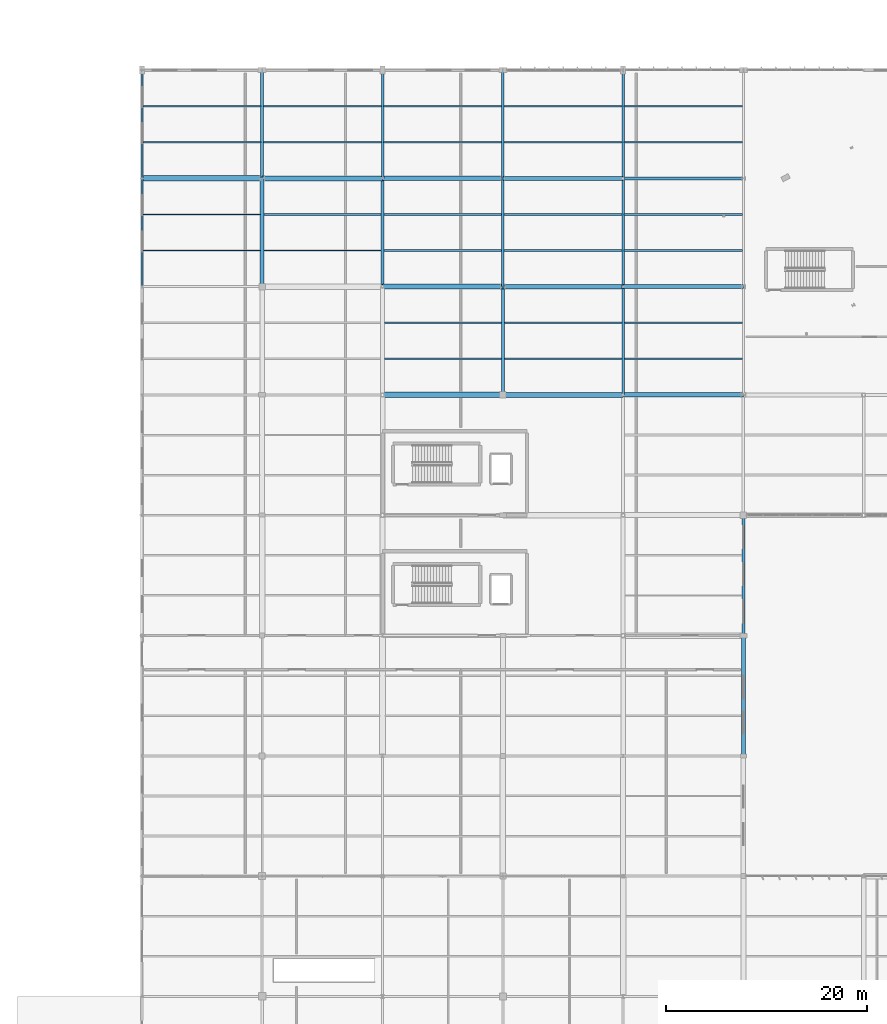
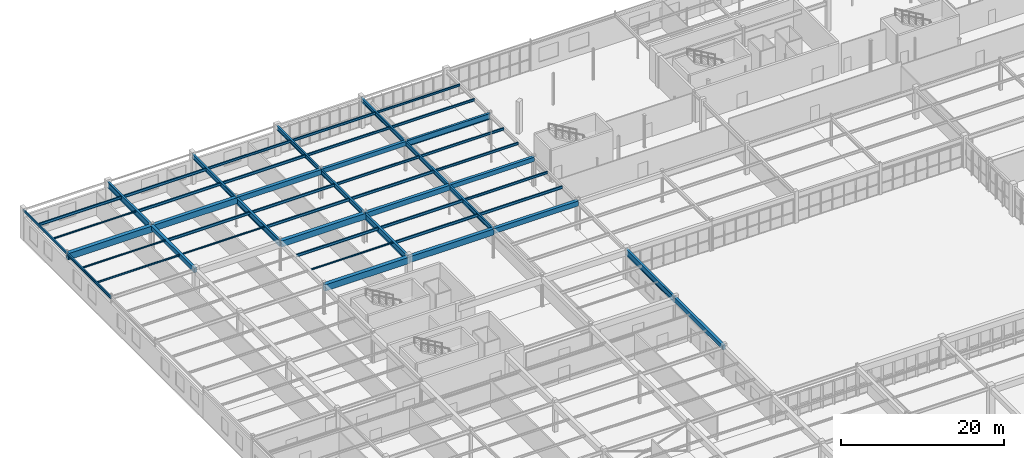
# One storey, part 82 of 199: 51 beams.
"""IFC4 building model written with IfcOpenShell, lengths in metres."""

from ifc_helpers import new_model, si_unit, direction, frame, origin, origin_2d, place, context, subcontext, project, spatial, rectangle, hollow_rectangle, i_section, extrude, material, material_profile, profile_set, type_object, element, save


model = new_model("IFC4")

# Units and contexts
model_context = context("Model", 3, precision=1e-05, world=origin(), true_north=direction((0.0, 1.0)))
body_context = subcontext(model_context, "Body", "Model", "MODEL_VIEW")
ifc_project = project(units=[si_unit("LENGTHUNIT", "METRE"), si_unit("AREAUNIT", "SQUARE_METRE"), si_unit("VOLUMEUNIT", "CUBIC_METRE"), si_unit("PLANEANGLEUNIT", "RADIAN"), si_unit("MASSUNIT", "GRAM", prefix="KILO")], contexts=[model_context])

# Site, building, storey
site_placement = place(None, origin())
site = spatial("IfcSite", under=ifc_project, at=site_placement, CompositionType="ELEMENT")
building_placement = place(site_placement, origin())
building = spatial("IfcBuilding", under=site, at=building_placement, Name="Tarnwether General Hospital", CompositionType="ELEMENT")
storey_placement = place(building_placement, origin())
storey = spatial("IfcBuildingStorey", under=building, at=storey_placement, Name="L00", CompositionType="ELEMENT", Elevation=0.0)

# Beams
ifc_material_1 = material(Name="Steel Grade 350 (350 MPa)", Category="steel")
ifc_material_profile_1 = material_profile(ifc_material_1, i_section(OverallWidth=0.300048828125, OverallDepth=0.89990234375, WebThickness=0.011962890625, FlangeThickness=0.02001953125, at=origin_2d()), Name="900WB175")
ifc_profile_set_1 = profile_set([ifc_material_profile_1], Name="Steel Grade 350 (350 MPa)")
beam_type_1 = type_object("IfcBeamType", Name="BM-G01", PredefinedType="BEAM", material=ifc_profile_set_1)
for number, where, z_axis, x_axis, name in (
    (1, (12.0, 115.199951171875, 3.9951171875), (0.0, 1.0, 0.0), (-1.0, 0.0, 0.0), "Primary Girder BMG-L00-1200_11520-1200_12600-0623"),
    (2, (24.0, 104.39990234375, 3.9951171875), (0.0, 1.0, 0.0), (-1.0, 0.0, 0.0), "Primary Girder BMG-L00-2400_10440-2400_11520-0644"),
):
    element("IfcBeam", number, at=place(storey_placement, frame(where, z_axis=z_axis, x_axis=x_axis)), inside=storey, type_object=beam_type_1, Name=name, PredefinedType="BEAM", context=body_context, shape_type="SweptSolid", body=[
        extrude(i_section(OverallWidth=0.300048828125, OverallDepth=0.89990234375, WebThickness=0.011962890625, FlangeThickness=0.02001953125, at=origin_2d()), origin(), (0.0, 0.0, 1.0), 10.800048828125),
    ])
beam_1_placement = place(storey_placement, frame((36.0, 93.60009765625, 3.9951171875), z_axis=(0.0, 1.0, 0.0), x_axis=(-1.0, 0.0, 0.0)))
element("IfcBeam", 3, at=beam_1_placement, inside=storey, type_object=beam_type_1, Name="Primary Girder BMG-L00-3600_9360-3600_10440-0663", PredefinedType="BEAM", context=body_context, shape_type="SweptSolid", body=[
    extrude(i_section(OverallWidth=0.300048828125, OverallDepth=0.89990234375, WebThickness=0.011962890625, FlangeThickness=0.02001953125, at=origin_2d()), origin(), (0.0, 0.0, 1.0), 10.7998046875),
])
for number, where, z_axis, x_axis, name in (
    (4, (48.0, 115.199951171875, 3.9951171875), (1.0, 0.0, 0.0), (0.0, 1.0, 0.0), "Primary Girder BMG-L00-4800_11520-6000_11520-0689"),
    (5, (60.0, 69.60009765625, 3.9951171875), (0.0, 1.0, 0.0), (-1.0, 0.0, 0.0), "Primary Girder BMG-L00-6000_6960-6000_8160-0701"),
):
    element("IfcBeam", number, at=place(storey_placement, frame(where, z_axis=z_axis, x_axis=x_axis)), inside=storey, type_object=beam_type_1, Name=name, PredefinedType="BEAM", context=body_context, shape_type="SweptSolid", body=[
        extrude(i_section(OverallWidth=0.300048828125, OverallDepth=0.89990234375, WebThickness=0.011962890625, FlangeThickness=0.02001953125, at=origin_2d()), origin(), (0.0, 0.0, 1.0), 12.0),
    ])
ifc_material_2 = material(Name="Steel Grade 350 (350 MPa)", Category="steel")
ifc_material_profile_2 = material_profile(ifc_material_2, i_section(OverallWidth=0.25, OverallDepth=0.69189453125, WebThickness=0.009033203125, FlangeThickness=0.01611328125, at=origin_2d()), Name="700WB115")
ifc_profile_set_2 = profile_set([ifc_material_profile_2], Name="Steel Grade 350 (350 MPa)")
beam_type_2 = type_object("IfcBeamType", Name="BM-G02", PredefinedType="BEAM", material=ifc_profile_set_2)
for number, where, z_axis, x_axis, name in (
    (6, (24.0, 115.199951171875, 4.09912109375), (0.0, 1.0, 0.0), (-1.0, 0.0, 0.0), "Primary Girder BMG-L00-2400_11520-2400_12600-0646"),
    (7, (36.0, 104.39990234375, 4.09912109375), (0.0, 1.0, 0.0), (-1.0, 0.0, 0.0), "Primary Girder BMG-L00-3600_10440-3600_11520-0665"),
):
    element("IfcBeam", number, at=place(storey_placement, frame(where, z_axis=z_axis, x_axis=x_axis)), inside=storey, type_object=beam_type_2, Name=name, PredefinedType="BEAM", context=body_context, shape_type="SweptSolid", body=[
        extrude(i_section(OverallWidth=0.25, OverallDepth=0.69189453125, WebThickness=0.009033203125, FlangeThickness=0.01611328125, at=origin_2d()), origin(), (0.0, 0.0, 1.0), 10.800048828125),
    ])
beam_2_placement = place(storey_placement, frame((48.0, 93.60009765625, 4.09912109375), z_axis=(0.0, 1.0, 0.0), x_axis=(-1.0, 0.0, 0.0)))
element("IfcBeam", 8, at=beam_2_placement, inside=storey, type_object=beam_type_2, Name="Primary Girder BMG-L00-4800_9360-4800_10440-0686", PredefinedType="BEAM", context=body_context, shape_type="SweptSolid", body=[
    extrude(i_section(OverallWidth=0.25, OverallDepth=0.69189453125, WebThickness=0.009033203125, FlangeThickness=0.01611328125, at=origin_2d()), origin(), (0.0, 0.0, 1.0), 10.7998046875),
])
ifc_material_3 = material(Name="Steel Grade 350 (350 MPa)", Category="steel")
ifc_material_profile_3 = material_profile(ifc_material_3, i_section(OverallWidth=0.22900390625, OverallDepth=0.612060546875, WebThickness=0.011962890625, FlangeThickness=0.01953125, at=origin_2d()), Name="610UB125")
ifc_profile_set_3 = profile_set([ifc_material_profile_3], Name="Steel Grade 350 (350 MPa)")
beam_type_3 = type_object("IfcBeamType", Name="BM-G03", PredefinedType="BEAM", material=ifc_profile_set_3)
for number, where, z_axis, x_axis, name in (
    (9, (36.0, 115.199951171875, 4.138916015625), (0.0, 1.0, 0.0), (-1.0, 0.0, 0.0), "Primary Girder BMG-L00-3600_11520-3600_12600-0667"),
    (10, (48.0, 104.39990234375, 4.138916015625), (0.0, 1.0, 0.0), (-1.0, 0.0, 0.0), "Primary Girder BMG-L00-4800_10440-4800_11520-0688"),
):
    element("IfcBeam", number, at=place(storey_placement, frame(where, z_axis=z_axis, x_axis=x_axis)), inside=storey, type_object=beam_type_3, Name=name, PredefinedType="BEAM", context=body_context, shape_type="SweptSolid", body=[
        extrude(i_section(OverallWidth=0.22900390625, OverallDepth=0.612060546875, WebThickness=0.011962890625, FlangeThickness=0.01953125, at=origin_2d()), origin(), (0.0, 0.0, 1.0), 10.800048828125),
    ])
ifc_material_4 = material(Name="Steel Grade 350 (350 MPa)", Category="steel")
ifc_material_profile_4 = material_profile(ifc_material_4, i_section(OverallWidth=0.22802734375, OverallDepth=0.60693359375, WebThickness=0.01123046875, FlangeThickness=0.017333984375, at=origin_2d()), Name="610UB113")
ifc_profile_set_4 = profile_set([ifc_material_profile_4], Name="Steel Grade 350 (350 MPa)")
beam_type_4 = type_object("IfcBeamType", Name="BM-G04", PredefinedType="BEAM", material=ifc_profile_set_4)
beam_3_placement = place(storey_placement, frame((48.0, 115.199951171875, 4.1416015625), z_axis=(0.0, 1.0, 0.0), x_axis=(-1.0, 0.0, 0.0)))
element("IfcBeam", 11, at=beam_3_placement, inside=storey, type_object=beam_type_4, Name="Primary Girder BMG-L00-4800_11520-4800_12600-0690", PredefinedType="BEAM", context=body_context, shape_type="SweptSolid", body=[
    extrude(i_section(OverallWidth=0.22802734375, OverallDepth=0.60693359375, WebThickness=0.01123046875, FlangeThickness=0.017333984375, at=origin_2d()), origin(), (0.0, 0.0, 1.0), 10.800048828125),
])
ifc_material_5 = material(Name="Concrete 40 MPa", Category="concrete")
ifc_material_profile_5 = material_profile(ifc_material_5, rectangle(XDim=0.550048828125, YDim=0.949951171875, at=origin_2d()), Name="RC-BM-550x950")
ifc_profile_set_5 = profile_set([ifc_material_profile_5], Name="Concrete 40 MPa")
beam_type_5 = type_object("IfcBeamType", Name="BM-G11", PredefinedType="BEAM", material=ifc_profile_set_5)
for number, where, z_axis, x_axis, name in (
    (12, (0.0, 115.199951171875, 3.969970703125), (1.0, 0.0, 0.0), (0.0, 1.0, 0.0), "Primary Girder BMG-L00-0_11520-1200_11520-0599"),
    (13, (24.0, 93.60009765625, 3.969970703125), (1.0, 0.0, 0.0), (0.0, 1.0, 0.0), "Primary Girder BMG-L00-2400_9360-3600_9360-0641"),
):
    element("IfcBeam", number, at=place(storey_placement, frame(where, z_axis=z_axis, x_axis=x_axis)), inside=storey, type_object=beam_type_5, Name=name, PredefinedType="BEAM", context=body_context, shape_type="SweptSolid", body=[
        extrude(rectangle(XDim=0.550048828125, YDim=0.949951171875, at=origin_2d()), origin(), (0.0, 0.0, 1.0), 12.0),
    ])
ifc_material_6 = material(Name="Concrete 40 MPa", Category="concrete")
ifc_material_profile_6 = material_profile(ifc_material_6, rectangle(XDim=0.5, YDim=0.89990234375, at=origin_2d()), Name="RC-BM-500x900")
ifc_profile_set_6 = profile_set([ifc_material_profile_6], Name="Concrete 40 MPa")
beam_type_6 = type_object("IfcBeamType", Name="BM-G12", PredefinedType="BEAM", material=ifc_profile_set_6)
for number, where, z_axis, x_axis, name in (
    (14, (12.0, 115.199951171875, 3.9951171875), (1.0, 0.0, 0.0), (0.0, 1.0, 0.0), "Primary Girder BMG-L00-1200_11520-2400_11520-0622"),
    (15, (24.0, 104.39990234375, 3.9951171875), (1.0, 0.0, 0.0), (0.0, 1.0, 0.0), "Primary Girder BMG-L00-2400_10440-3600_10440-0643"),
    (16, (36.0, 93.60009765625, 3.9951171875), (1.0, 0.0, 0.0), (0.0, 1.0, 0.0), "Primary Girder BMG-L00-3600_9360-4800_9360-0662"),
):
    element("IfcBeam", number, at=place(storey_placement, frame(where, z_axis=z_axis, x_axis=x_axis)), inside=storey, type_object=beam_type_6, Name=name, PredefinedType="BEAM", context=body_context, shape_type="SweptSolid", body=[
        extrude(rectangle(XDim=0.5, YDim=0.89990234375, at=origin_2d()), origin(), (0.0, 0.0, 1.0), 12.0),
    ])
ifc_material_7 = material(Name="Concrete 40 MPa", Category="concrete")
ifc_material_profile_7 = material_profile(ifc_material_7, rectangle(XDim=0.449951171875, YDim=0.75, at=origin_2d()), Name="RC-BM-450x750")
ifc_profile_set_7 = profile_set([ifc_material_profile_7], Name="Concrete 40 MPa")
beam_type_7 = type_object("IfcBeamType", Name="BM-G13", PredefinedType="BEAM", material=ifc_profile_set_7)
for number, where, z_axis, x_axis, name in (
    (17, (24.0, 115.199951171875, 4.070068359375), (1.0, 0.0, 0.0), (0.0, 1.0, 0.0), "Primary Girder BMG-L00-2400_11520-3600_11520-0645"),
    (18, (36.0, 104.39990234375, 4.070068359375), (1.0, 0.0, 0.0), (0.0, 1.0, 0.0), "Primary Girder BMG-L00-3600_10440-4800_10440-0664"),
    (19, (48.0, 93.60009765625, 4.070068359375), (1.0, 0.0, 0.0), (0.0, 1.0, 0.0), "Primary Girder BMG-L00-4800_9360-6000_9360-0685"),
):
    element("IfcBeam", number, at=place(storey_placement, frame(where, z_axis=z_axis, x_axis=x_axis)), inside=storey, type_object=beam_type_7, Name=name, PredefinedType="BEAM", context=body_context, shape_type="SweptSolid", body=[
        extrude(rectangle(XDim=0.449951171875, YDim=0.75, at=origin_2d()), origin(), (0.0, 0.0, 1.0), 12.0),
    ])
ifc_material_8 = material(Name="Concrete 40 MPa", Category="concrete")
ifc_material_profile_8 = material_profile(ifc_material_8, rectangle(XDim=0.39990234375, YDim=0.64990234375, at=origin_2d()), Name="RC-BM-400x650")
ifc_profile_set_8 = profile_set([ifc_material_profile_8], Name="Concrete 40 MPa")
beam_type_8 = type_object("IfcBeamType", Name="BM-G14", PredefinedType="BEAM", material=ifc_profile_set_8)
beam_4_placement = place(storey_placement, frame((12.0, 104.39990234375, 4.1201171875), z_axis=(0.0, 1.0, 0.0), x_axis=(-1.0, 0.0, 0.0)))
element("IfcBeam", 20, at=beam_4_placement, inside=storey, type_object=beam_type_8, Name="Primary Girder BMG-L00-1200_10440-1200_11520-0621", PredefinedType="BEAM", context=body_context, shape_type="SweptSolid", body=[
    extrude(rectangle(XDim=0.39990234375, YDim=0.64990234375, at=origin_2d()), origin(), (0.0, 0.0, 1.0), 10.800048828125),
])
for number, where, z_axis, x_axis, name in (
    (21, (36.0, 115.199951171875, 4.1201171875), (1.0, 0.0, 0.0), (0.0, 1.0, 0.0), "Primary Girder BMG-L00-3600_11520-4800_11520-0666"),
    (22, (48.0, 104.39990234375, 4.1201171875), (1.0, 0.0, 0.0), (0.0, 1.0, 0.0), "Primary Girder BMG-L00-4800_10440-6000_10440-0687"),
    (23, (60.0, 57.60009765625, 4.1201171875), (0.0, 1.0, 0.0), (-1.0, 0.0, 0.0), "Primary Girder BMG-L00-6000_5760-6000_6960-0700"),
):
    element("IfcBeam", number, at=place(storey_placement, frame(where, z_axis=z_axis, x_axis=x_axis)), inside=storey, type_object=beam_type_8, Name=name, PredefinedType="BEAM", context=body_context, shape_type="SweptSolid", body=[
        extrude(rectangle(XDim=0.39990234375, YDim=0.64990234375, at=origin_2d()), origin(), (0.0, 0.0, 1.0), 12.0),
    ])
ifc_material_9 = material(Name="Steel Grade 350 (350 MPa)", Category="steel")
ifc_material_profile_9 = material_profile(ifc_material_9, i_section(OverallWidth=0.177978515625, OverallDepth=0.406005859375, WebThickness=0.0078125, FlangeThickness=0.0126953125, at=origin_2d()), Name="410UB59.7")
ifc_profile_set_9 = profile_set([ifc_material_profile_9], Name="Steel Grade 350 (350 MPa)")
beam_type_9 = type_object("IfcBeamType", Name="BM-J01", PredefinedType="JOIST", material=ifc_profile_set_9)
beam_5_placement = place(storey_placement, frame((0.093994140625, 122.39990234375, 4.241943359375), z_axis=(1.0, 0.0, 0.0), x_axis=(0.0, 1.0, 0.0)))
element("IfcBeam", 24, at=beam_5_placement, inside=storey, type_object=beam_type_9, Name="Composite Floor Joist BMG-L00-9_12240-1186_12240-0884", PredefinedType="JOIST", context=body_context, shape_type="SweptSolid", body=[
    extrude(i_section(OverallWidth=0.177978515625, OverallDepth=0.406005859375, WebThickness=0.0078125, FlangeThickness=0.0126953125, at=origin_2d()), origin(), (0.0, 0.0, 1.0), 11.761962890625),
])
beam_6_placement = place(storey_placement, frame((12.194091796875, 111.60009765625, 4.241943359375), z_axis=(1.0, 0.0, 0.0), x_axis=(0.0, 1.0, 0.0)))
element("IfcBeam", 25, at=beam_6_placement, inside=storey, type_object=beam_type_9, Name="Composite Floor Joist BMG-L00-1219_11160-2386_11160-0904", PredefinedType="JOIST", context=body_context, shape_type="SweptSolid", body=[
    extrude(i_section(OverallWidth=0.177978515625, OverallDepth=0.406005859375, WebThickness=0.0078125, FlangeThickness=0.0126953125, at=origin_2d()), origin(), (0.0, 0.0, 1.0), 11.661865234375),
])
beam_7_placement = place(storey_placement, frame((12.14404296875, 118.800048828125, 4.241943359375), z_axis=(1.0, 0.0, 0.0), x_axis=(0.0, 1.0, 0.0)))
element("IfcBeam", 26, at=beam_7_placement, inside=storey, type_object=beam_type_9, Name="Composite Floor Joist BMG-L00-1214_11880-2388_11880-0905", PredefinedType="JOIST", context=body_context, shape_type="SweptSolid", body=[
    extrude(i_section(OverallWidth=0.177978515625, OverallDepth=0.406005859375, WebThickness=0.0078125, FlangeThickness=0.0126953125, at=origin_2d()), origin(), (0.0, 0.0, 1.0), 11.737060546875),
])
beam_8_placement = place(storey_placement, frame((24.194091796875, 100.800048828125, 4.241943359375), z_axis=(1.0, 0.0, 0.0), x_axis=(0.0, 1.0, 0.0)))
element("IfcBeam", 27, at=beam_8_placement, inside=storey, type_object=beam_type_9, Name="Composite Floor Joist BMG-L00-2419_10080-3586_10080-0920", PredefinedType="JOIST", context=body_context, shape_type="SweptSolid", body=[
    extrude(i_section(OverallWidth=0.177978515625, OverallDepth=0.406005859375, WebThickness=0.0078125, FlangeThickness=0.0126953125, at=origin_2d()), origin(), (0.0, 0.0, 1.0), 11.661865234375),
])
for number, where, z_axis, x_axis, name in (
    (28, (24.14404296875, 108.0, 4.241943359375), (1.0, 0.0, 0.0), (0.0, 1.0, 0.0), "Composite Floor Joist BMG-L00-2414_10800-3588_10800-0921"),
    (29, (36.14404296875, 97.199951171875, 4.241943359375), (1.0, 0.0, 0.0), (0.0, 1.0, 0.0), "Composite Floor Joist BMG-L00-3614_9720-4788_9720-0937"),
):
    element("IfcBeam", number, at=place(storey_placement, frame(where, z_axis=z_axis, x_axis=x_axis)), inside=storey, type_object=beam_type_9, Name=name, PredefinedType="JOIST", context=body_context, shape_type="SweptSolid", body=[
        extrude(i_section(OverallWidth=0.177978515625, OverallDepth=0.406005859375, WebThickness=0.0078125, FlangeThickness=0.0126953125, at=origin_2d()), origin(), (0.0, 0.0, 1.0), 11.737060546875),
    ])
ifc_material_10 = material(Name="Steel Grade 350 (350 MPa)", Category="steel")
ifc_material_profile_10 = material_profile(ifc_material_10, i_section(OverallWidth=0.177978515625, OverallDepth=0.403076171875, WebThickness=0.007568359375, FlangeThickness=0.010986328125, at=origin_2d()), Name="410UB53.7")
ifc_profile_set_10 = profile_set([ifc_material_profile_10], Name="Steel Grade 350 (350 MPa)")
beam_type_10 = type_object("IfcBeamType", Name="BM-J02", PredefinedType="JOIST", material=ifc_profile_set_10)
for number, where, z_axis, x_axis, name in (
    (30, (12.14404296875, 122.39990234375, 4.243408203125), (1.0, 0.0, 0.0), (0.0, 1.0, 0.0), "Composite Floor Joist BMG-L00-1214_12240-2388_12240-0906"),
    (31, (24.14404296875, 111.60009765625, 4.243408203125), (1.0, 0.0, 0.0), (0.0, 1.0, 0.0), "Composite Floor Joist BMG-L00-2414_11160-3588_11160-0922"),
):
    element("IfcBeam", number, at=place(storey_placement, frame(where, z_axis=z_axis, x_axis=x_axis)), inside=storey, type_object=beam_type_10, Name=name, PredefinedType="JOIST", context=body_context, shape_type="SweptSolid", body=[
        extrude(i_section(OverallWidth=0.177978515625, OverallDepth=0.403076171875, WebThickness=0.007568359375, FlangeThickness=0.010986328125, at=origin_2d()), origin(), (0.0, 0.0, 1.0), 11.737060546875),
    ])
beam_9_placement = place(storey_placement, frame((24.118896484375, 118.800048828125, 4.243408203125), z_axis=(1.0, 0.0, 0.0), x_axis=(0.0, 1.0, 0.0)))
element("IfcBeam", 32, at=beam_9_placement, inside=storey, type_object=beam_type_10, Name="Composite Floor Joist BMG-L00-2412_11880-3589_11880-0923", PredefinedType="JOIST", context=body_context, shape_type="SweptSolid", body=[
    extrude(i_section(OverallWidth=0.177978515625, OverallDepth=0.403076171875, WebThickness=0.007568359375, FlangeThickness=0.010986328125, at=origin_2d()), origin(), (0.0, 0.0, 1.0), 11.773193359375),
])
beam_10_placement = place(storey_placement, frame((36.14404296875, 100.800048828125, 4.243408203125), z_axis=(1.0, 0.0, 0.0), x_axis=(0.0, 1.0, 0.0)))
element("IfcBeam", 33, at=beam_10_placement, inside=storey, type_object=beam_type_10, Name="Composite Floor Joist BMG-L00-3614_10080-4788_10080-0938", PredefinedType="JOIST", context=body_context, shape_type="SweptSolid", body=[
    extrude(i_section(OverallWidth=0.177978515625, OverallDepth=0.403076171875, WebThickness=0.007568359375, FlangeThickness=0.010986328125, at=origin_2d()), origin(), (0.0, 0.0, 1.0), 11.737060546875),
])
for number, where, z_axis, x_axis, name in (
    (34, (36.118896484375, 108.0, 4.243408203125), (1.0, 0.0, 0.0), (0.0, 1.0, 0.0), "Composite Floor Joist BMG-L00-3612_10800-4789_10800-0939"),
    (35, (48.118896484375, 97.199951171875, 4.243408203125), (1.0, 0.0, 0.0), (0.0, 1.0, 0.0), "Composite Floor Joist BMG-L00-4812_9720-5989_9720-0959"),
):
    element("IfcBeam", number, at=place(storey_placement, frame(where, z_axis=z_axis, x_axis=x_axis)), inside=storey, type_object=beam_type_10, Name=name, PredefinedType="JOIST", context=body_context, shape_type="SweptSolid", body=[
        extrude(i_section(OverallWidth=0.177978515625, OverallDepth=0.403076171875, WebThickness=0.007568359375, FlangeThickness=0.010986328125, at=origin_2d()), origin(), (0.0, 0.0, 1.0), 11.773193359375),
    ])
ifc_material_11 = material(Name="Steel Grade 350 (350 MPa)", Category="steel")
ifc_material_profile_11 = material_profile(ifc_material_11, i_section(OverallWidth=0.172119140625, OverallDepth=0.35888671875, WebThickness=0.008056640625, FlangeThickness=0.012939453125, at=origin_2d()), Name="360UB56.7")
ifc_profile_set_11 = profile_set([ifc_material_profile_11], Name="Steel Grade 350 (350 MPa)")
beam_type_11 = type_object("IfcBeamType", Name="BM-J03", PredefinedType="JOIST", material=ifc_profile_set_11)
for number, where, z_axis, x_axis, name in (
    (36, (24.118896484375, 122.39990234375, 4.265380859375), (1.0, 0.0, 0.0), (0.0, 1.0, 0.0), "Composite Floor Joist BMG-L00-2412_12240-3589_12240-0924"),
    (37, (36.118896484375, 111.60009765625, 4.265380859375), (1.0, 0.0, 0.0), (0.0, 1.0, 0.0), "Composite Floor Joist BMG-L00-3612_11160-4789_11160-0940"),
):
    element("IfcBeam", number, at=place(storey_placement, frame(where, z_axis=z_axis, x_axis=x_axis)), inside=storey, type_object=beam_type_11, Name=name, PredefinedType="JOIST", context=body_context, shape_type="SweptSolid", body=[
        extrude(i_section(OverallWidth=0.172119140625, OverallDepth=0.35888671875, WebThickness=0.008056640625, FlangeThickness=0.012939453125, at=origin_2d()), origin(), (0.0, 0.0, 1.0), 11.773193359375),
    ])
beam_11_placement = place(storey_placement, frame((36.10791015625, 118.800048828125, 4.265380859375), z_axis=(1.0, 0.0, 0.0), x_axis=(0.0, 1.0, 0.0)))
element("IfcBeam", 38, at=beam_11_placement, inside=storey, type_object=beam_type_11, Name="Composite Floor Joist BMG-L00-3611_11880-4789_11880-0941", PredefinedType="JOIST", context=body_context, shape_type="SweptSolid", body=[
    extrude(i_section(OverallWidth=0.172119140625, OverallDepth=0.35888671875, WebThickness=0.008056640625, FlangeThickness=0.012939453125, at=origin_2d()), origin(), (0.0, 0.0, 1.0), 11.7841796875),
])
beam_12_placement = place(storey_placement, frame((48.118896484375, 100.800048828125, 4.265380859375), z_axis=(1.0, 0.0, 0.0), x_axis=(0.0, 1.0, 0.0)))
element("IfcBeam", 39, at=beam_12_placement, inside=storey, type_object=beam_type_11, Name="Composite Floor Joist BMG-L00-4812_10080-5989_10080-0960", PredefinedType="JOIST", context=body_context, shape_type="SweptSolid", body=[
    extrude(i_section(OverallWidth=0.172119140625, OverallDepth=0.35888671875, WebThickness=0.008056640625, FlangeThickness=0.012939453125, at=origin_2d()), origin(), (0.0, 0.0, 1.0), 11.773193359375),
])
beam_13_placement = place(storey_placement, frame((48.10791015625, 108.0, 4.265380859375), z_axis=(1.0, 0.0, 0.0), x_axis=(0.0, 1.0, 0.0)))
element("IfcBeam", 40, at=beam_13_placement, inside=storey, type_object=beam_type_11, Name="Composite Floor Joist BMG-L00-4811_10800-5989_10800-0961", PredefinedType="JOIST", context=body_context, shape_type="SweptSolid", body=[
    extrude(i_section(OverallWidth=0.172119140625, OverallDepth=0.35888671875, WebThickness=0.008056640625, FlangeThickness=0.012939453125, at=origin_2d()), origin(), (0.0, 0.0, 1.0), 11.7841796875),
])
ifc_material_12 = material(Name="Steel Grade 350 (350 MPa)", Category="steel")
ifc_material_profile_12 = material_profile(ifc_material_12, i_section(OverallWidth=0.1708984375, OverallDepth=0.35595703125, WebThickness=0.00732421875, FlangeThickness=0.011474609375, at=origin_2d()), Name="360UB50.7")
ifc_profile_set_12 = profile_set([ifc_material_profile_12], Name="Steel Grade 350 (350 MPa)")
beam_type_12 = type_object("IfcBeamType", Name="BM-J04", PredefinedType="JOIST", material=ifc_profile_set_12)
for number, where, z_axis, x_axis, name in (
    (41, (36.10791015625, 122.39990234375, 4.26708984375), (1.0, 0.0, 0.0), (0.0, 1.0, 0.0), "Composite Floor Joist BMG-L00-3611_12240-4789_12240-0942"),
    (42, (48.10791015625, 111.60009765625, 4.26708984375), (1.0, 0.0, 0.0), (0.0, 1.0, 0.0), "Composite Floor Joist BMG-L00-4811_11160-5989_11160-0962"),
    (43, (48.10791015625, 118.800048828125, 4.26708984375), (1.0, 0.0, 0.0), (0.0, 1.0, 0.0), "Composite Floor Joist BMG-L00-4811_11880-5989_11880-0963"),
):
    element("IfcBeam", number, at=place(storey_placement, frame(where, z_axis=z_axis, x_axis=x_axis)), inside=storey, type_object=beam_type_12, Name=name, PredefinedType="JOIST", context=body_context, shape_type="SweptSolid", body=[
        extrude(i_section(OverallWidth=0.1708984375, OverallDepth=0.35595703125, WebThickness=0.00732421875, FlangeThickness=0.011474609375, at=origin_2d()), origin(), (0.0, 0.0, 1.0), 11.7841796875),
    ])
ifc_material_13 = material(Name="Steel Grade 350 (350 MPa)", Category="steel")
ifc_material_profile_13 = material_profile(ifc_material_13, i_section(OverallWidth=0.166015625, OverallDepth=0.306884765625, WebThickness=0.006591796875, FlangeThickness=0.01171875, at=origin_2d()), Name="310UB46.2")
ifc_profile_set_13 = profile_set([ifc_material_profile_13], Name="Steel Grade 350 (350 MPa)")
beam_type_13 = type_object("IfcBeamType", Name="BM-J05", PredefinedType="JOIST", material=ifc_profile_set_13)
beam_14_placement = place(storey_placement, frame((48.10791015625, 122.39990234375, 4.29150390625), z_axis=(1.0, 0.0, 0.0), x_axis=(0.0, 1.0, 0.0)))
element("IfcBeam", 44, at=beam_14_placement, inside=storey, type_object=beam_type_13, Name="Composite Floor Joist BMG-L00-4811_12240-5989_12240-0964", PredefinedType="JOIST", context=body_context, shape_type="SweptSolid", body=[
    extrude(i_section(OverallWidth=0.166015625, OverallDepth=0.306884765625, WebThickness=0.006591796875, FlangeThickness=0.01171875, at=origin_2d()), origin(), (0.0, 0.0, 1.0), 11.7841796875),
])
ifc_material_14 = material(Name="Steel Grade 350 (350 MPa)", Category="steel")
ifc_material_profile_14 = material_profile(ifc_material_14, i_section(OverallWidth=0.1240234375, OverallDepth=0.248046875, WebThickness=0.0048828125, FlangeThickness=0.008056640625, at=origin_2d()), Name="250UB25.7")
ifc_profile_set_14 = profile_set([ifc_material_profile_14], Name="Steel Grade 350 (350 MPa)")
beam_type_14 = type_object("IfcBeamType", Name="BM-J11", PredefinedType="JOIST", material=ifc_profile_set_14)
beam_15_placement = place(storey_placement, frame((0.0830078125, 108.0, 4.321044921875), z_axis=(1.0, 0.0, 0.0), x_axis=(0.0, 1.0, 0.0)))
element("IfcBeam", 45, at=beam_15_placement, inside=storey, type_object=beam_type_14, Name="Composite Floor Joist BMG-L00-8_10800-1181_10800-0881", PredefinedType="JOIST", context=body_context, shape_type="SweptSolid", body=[
    extrude(i_section(OverallWidth=0.1240234375, OverallDepth=0.248046875, WebThickness=0.0048828125, FlangeThickness=0.008056640625, at=origin_2d()), origin(), (0.0, 0.0, 1.0), 11.722900390625),
])
ifc_material_15 = material(Name="Steel Grade 350 (350 MPa)", Category="steel")
ifc_material_profile_15 = material_profile(ifc_material_15, i_section(OverallWidth=0.134033203125, OverallDepth=0.20703125, WebThickness=0.00634765625, FlangeThickness=0.009521484375, at=origin_2d()), Name="200UB29.8")
ifc_profile_set_15 = profile_set([ifc_material_profile_15], Name="Steel Grade 350 (350 MPa)")
beam_type_15 = type_object("IfcBeamType", Name="BM-J12", PredefinedType="JOIST", material=ifc_profile_set_15)
beam_16_placement = place(storey_placement, frame((0.0830078125, 111.60009765625, 4.341552734375), z_axis=(1.0, 0.0, 0.0), x_axis=(0.0, 1.0, 0.0)))
element("IfcBeam", 46, at=beam_16_placement, inside=storey, type_object=beam_type_15, Name="Composite Floor Joist BMG-L00-8_11160-1181_11160-0882", PredefinedType="JOIST", context=body_context, shape_type="SweptSolid", body=[
    extrude(i_section(OverallWidth=0.134033203125, OverallDepth=0.20703125, WebThickness=0.00634765625, FlangeThickness=0.009521484375, at=origin_2d()), origin(), (0.0, 0.0, 1.0), 11.722900390625),
])
beam_17_placement = place(storey_placement, frame((0.093994140625, 118.800048828125, 4.341552734375), z_axis=(1.0, 0.0, 0.0), x_axis=(0.0, 1.0, 0.0)))
element("IfcBeam", 47, at=beam_17_placement, inside=storey, type_object=beam_type_15, Name="Composite Floor Joist BMG-L00-9_11880-1186_11880-0883", PredefinedType="JOIST", context=body_context, shape_type="SweptSolid", body=[
    extrude(i_section(OverallWidth=0.134033203125, OverallDepth=0.20703125, WebThickness=0.00634765625, FlangeThickness=0.009521484375, at=origin_2d()), origin(), (0.0, 0.0, 1.0), 11.761962890625),
])
for number, where, z_axis, x_axis, name in (
    (48, (12.194091796875, 108.0, 4.341552734375), (1.0, 0.0, 0.0), (0.0, 1.0, 0.0), "Composite Floor Joist BMG-L00-1219_10800-2386_10800-0903"),
    (49, (24.194091796875, 97.199951171875, 4.341552734375), (1.0, 0.0, 0.0), (0.0, 1.0, 0.0), "Composite Floor Joist BMG-L00-2419_9720-3586_9720-0919"),
):
    element("IfcBeam", number, at=place(storey_placement, frame(where, z_axis=z_axis, x_axis=x_axis)), inside=storey, type_object=beam_type_15, Name=name, PredefinedType="JOIST", context=body_context, shape_type="SweptSolid", body=[
        extrude(i_section(OverallWidth=0.134033203125, OverallDepth=0.20703125, WebThickness=0.00634765625, FlangeThickness=0.009521484375, at=origin_2d()), origin(), (0.0, 0.0, 1.0), 11.661865234375),
    ])
ifc_material_16 = material(Name="Steel Grade 350 (350 MPa)", Category="steel")
ifc_material_profile_16 = material_profile(ifc_material_16, i_section(OverallWidth=0.177978515625, OverallDepth=0.403076171875, WebThickness=0.007568359375, FlangeThickness=0.010986328125, at=origin_2d()), Name="410UB53.7")
ifc_profile_set_16 = profile_set([ifc_material_profile_16], Name="Steel Grade 350 (350 MPa)")
beam_type_16 = type_object("IfcBeamType", Name="BM-SP2", PredefinedType="SPANDREL", material=ifc_profile_set_16)
beam_18_placement = place(storey_placement, frame((0.0, 104.39990234375, 4.243408203125), z_axis=(0.0, 1.0, 0.0), x_axis=(-1.0, 0.0, 0.0)))
element("IfcBeam", 50, at=beam_18_placement, inside=storey, type_object=beam_type_16, Name="Primary Girder BMG-L00-0_10440-0_11520-0598", PredefinedType="SPANDREL", context=body_context, shape_type="SweptSolid", body=[
    extrude(i_section(OverallWidth=0.177978515625, OverallDepth=0.403076171875, WebThickness=0.007568359375, FlangeThickness=0.010986328125, at=origin_2d()), origin(), (0.0, 0.0, 1.0), 10.800048828125),
])
ifc_material_17 = material(Name="Steel Grade C350L0 (350 MPa)", Category="steel")
ifc_material_profile_17 = material_profile(ifc_material_17, hollow_rectangle(XDim=0.199951171875, YDim=0.300048828125, WallThickness=0.012451171875, at=origin_2d()), Name="RHS300x200x12.5")
ifc_profile_set_17 = profile_set([ifc_material_profile_17], Name="Steel Grade C350L0 (350 MPa)")
beam_type_17 = type_object("IfcBeamType", Name="BM-SP3", PredefinedType="SPANDREL", material=ifc_profile_set_17)
beam_19_placement = place(storey_placement, frame((0.0, 115.199951171875, 4.294921875), z_axis=(0.0, 1.0, 0.0), x_axis=(-1.0, 0.0, 0.0)))
element("IfcBeam", 51, at=beam_19_placement, inside=storey, type_object=beam_type_17, Name="Primary Girder BMG-L00-0_11520-0_12600-0600", PredefinedType="SPANDREL", context=body_context, shape_type="SweptSolid", body=[
    extrude(hollow_rectangle(XDim=0.199951171875, YDim=0.300048828125, WallThickness=0.012451171875, at=origin_2d()), origin(), (0.0, 0.0, 1.0), 10.800048828125),
])

save(model, "model.ifc")
